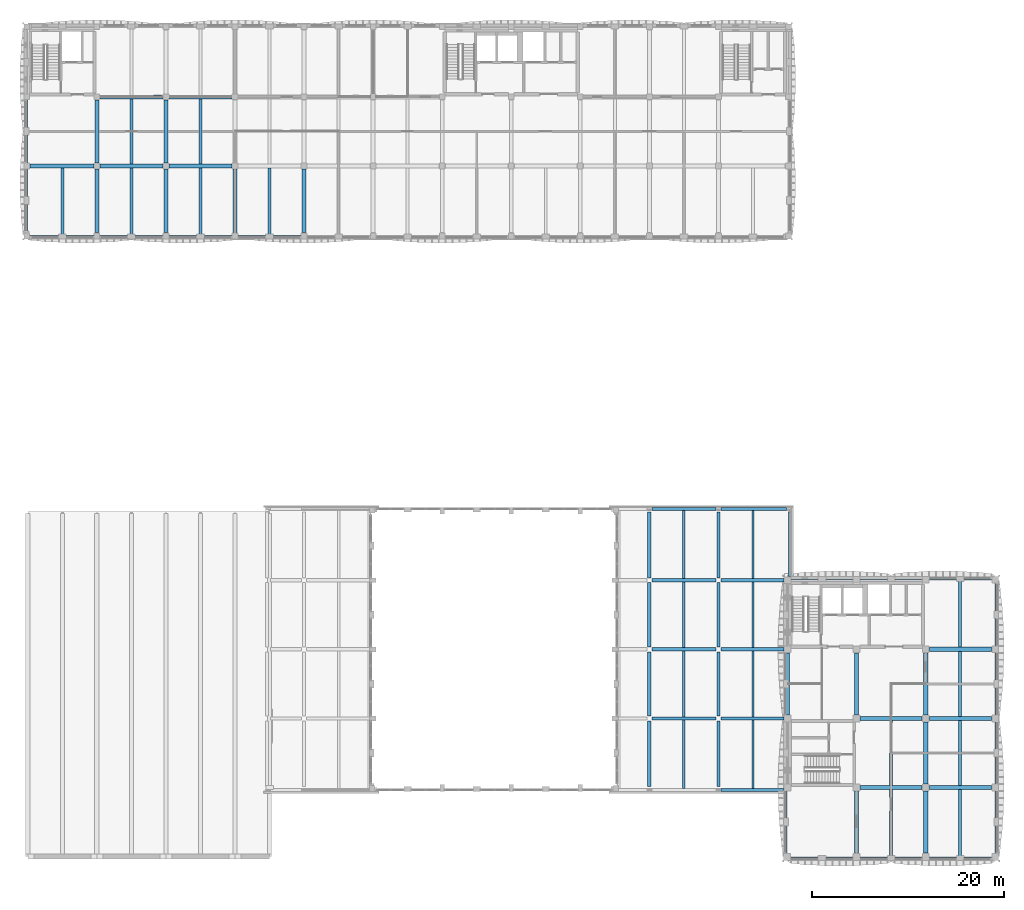
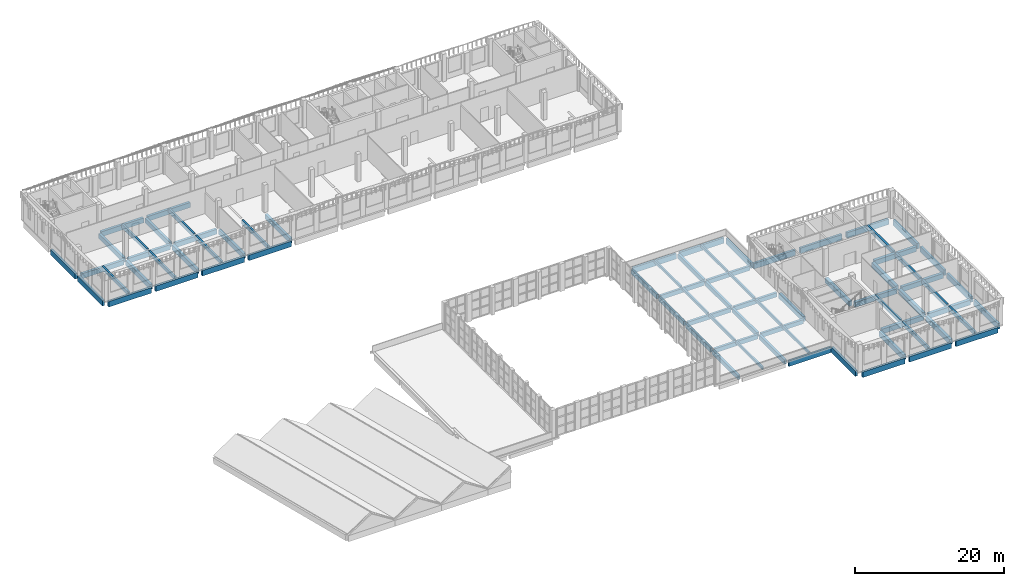
# One storey, part 8 of 44: 77 beams.
"""IFC4 building model written with IfcOpenShell, lengths in metres."""

from ifc_helpers import new_model, si_unit, direction, frame, origin, origin_2d, place, context, subcontext, project, spatial, rectangle, extrude, material, material_profile, profile_set, type_object, element, save


model = new_model("IFC4")

# Units and contexts
model_context = context("Model", 3, precision=1e-05, world=origin(), true_north=direction((0.0, 1.0)))
body_context = subcontext(model_context, "Body", "Model", "MODEL_VIEW")
ifc_project = project(units=[si_unit("LENGTHUNIT", "METRE"), si_unit("AREAUNIT", "SQUARE_METRE"), si_unit("VOLUMEUNIT", "CUBIC_METRE"), si_unit("PLANEANGLEUNIT", "RADIAN"), si_unit("MASSUNIT", "GRAM", prefix="KILO")], contexts=[model_context])

# Site, building, storey
site_placement = place(None, origin())
site = spatial("IfcSite", under=ifc_project, at=site_placement, CompositionType="ELEMENT")
building_placement = place(site_placement, origin())
building = spatial("IfcBuilding", under=site, at=building_placement, Name="Ussher Court Research Institute", CompositionType="ELEMENT")
storey_placement = place(building_placement, frame((0.0, 0.0, 18.89990234375)))
storey = spatial("IfcBuildingStorey", under=building, at=storey_placement, Name="L04", CompositionType="ELEMENT", Elevation=18.89990234375)

# Beams
ifc_material_1 = material(Name="Concrete C35/45", Category="concrete")
ifc_material_profile_1 = material_profile(ifc_material_1, rectangle(XDim=0.25, YDim=0.449951171875, at=origin_2d()), Name="RC 250x450")
ifc_profile_set_1 = profile_set([ifc_material_profile_1], Name="Concrete C35/45")
beam_type_1 = type_object("IfcBeamType", Name="RC 250x450 beam", PredefinedType="BEAM", material=ifc_profile_set_1)
beam_1_placement = place(storey_placement, frame((71.39990234375, 11.10009765625, -0.224853515625), z_axis=(0.0, 1.0, 0.0), x_axis=(-1.0, 0.0, 0.0)))
element("IfcBeam", 1, at=beam_1_placement, inside=storey, type_object=beam_type_1, Name="B1 V7 L04-05", PredefinedType="BEAM", context=body_context, shape_type="SweptSolid", body=[
    extrude(rectangle(XDim=0.25, YDim=0.449951171875, at=origin_2d()), origin(), (0.0, 0.0, 1.0), 7.125),
])
for number, where, z_axis, x_axis, name in (
    (2, (71.39990234375, 18.574951171875, -0.224853515625), (0.0, 1.0, 0.0), (-1.0, 0.0, 0.0), "B1 V7 L04-06"),
    (3, (71.39990234375, 25.77490234375, -0.224853515625), (0.0, 1.0, 0.0), (-1.0, 0.0, 0.0), "B1 V7 L04-07"),
):
    element("IfcBeam", number, at=place(storey_placement, frame(where, z_axis=z_axis, x_axis=x_axis)), inside=storey, type_object=beam_type_1, Name=name, PredefinedType="BEAM", context=body_context, shape_type="SweptSolid", body=[
        extrude(rectangle(XDim=0.25, YDim=0.449951171875, at=origin_2d()), origin(), (0.0, 0.0, 1.0), 6.85009765625),
    ])
for number, where, z_axis, x_axis, name in (
    (4, (71.39990234375, 32.97509765625, -0.224853515625), (0.0, 1.0, 0.0), (-1.0, 0.0, 0.0), "B1 V7 L04-08"),
    (5, (78.60009765625, 11.10009765625, -0.224853515625), (0.0, 1.0, 0.0), (-1.0, 0.0, 0.0), "B1 V7 L04-09"),
):
    element("IfcBeam", number, at=place(storey_placement, frame(where, z_axis=z_axis, x_axis=x_axis)), inside=storey, type_object=beam_type_1, Name=name, PredefinedType="BEAM", context=body_context, shape_type="SweptSolid", body=[
        extrude(rectangle(XDim=0.25, YDim=0.449951171875, at=origin_2d()), origin(), (0.0, 0.0, 1.0), 7.125),
    ])
for number, where, z_axis, x_axis, name in (
    (6, (78.60009765625, 18.574951171875, -0.224853515625), (0.0, 1.0, 0.0), (-1.0, 0.0, 0.0), "B1 V7 L04-10"),
    (7, (78.60009765625, 25.77490234375, -0.224853515625), (0.0, 1.0, 0.0), (-1.0, 0.0, 0.0), "B1 V7 L04-11"),
):
    element("IfcBeam", number, at=place(storey_placement, frame(where, z_axis=z_axis, x_axis=x_axis)), inside=storey, type_object=beam_type_1, Name=name, PredefinedType="BEAM", context=body_context, shape_type="SweptSolid", body=[
        extrude(rectangle(XDim=0.25, YDim=0.449951171875, at=origin_2d()), origin(), (0.0, 0.0, 1.0), 6.85009765625),
    ])
beam_2_placement = place(storey_placement, frame((78.60009765625, 32.97509765625, -0.224853515625), z_axis=(0.0, 1.0, 0.0), x_axis=(-1.0, 0.0, 0.0)))
element("IfcBeam", 8, at=beam_2_placement, inside=storey, type_object=beam_type_1, Name="B1 V7 L04-12", PredefinedType="BEAM", context=body_context, shape_type="SweptSolid", body=[
    extrude(rectangle(XDim=0.25, YDim=0.449951171875, at=origin_2d()), origin(), (0.0, 0.0, 1.0), 7.125),
])
ifc_material_2 = material(Name="Concrete C35/45", Category="concrete")
ifc_material_profile_2 = material_profile(ifc_material_2, rectangle(XDim=0.300048828125, YDim=0.60009765625, at=origin_2d()), Name="RC 300x600")
ifc_profile_set_2 = profile_set([ifc_material_profile_2], Name="Concrete C35/45")
beam_type_2 = type_object("IfcBeamType", Name="RC 300x600 beam", PredefinedType="BEAM", material=ifc_profile_set_2)
for number, where, z_axis, x_axis, name in (
    (9, (6.60009765625, 68.75, -0.2998046875), (0.0, 1.0, 0.0), (-1.0, 0.0, 0.0), "B3 V5 L04-01"),
    (10, (13.800048828125, 68.75, -0.2998046875), (0.0, 1.0, 0.0), (-1.0, 0.0, 0.0), "B3 V5 L04-02"),
):
    element("IfcBeam", number, at=place(storey_placement, frame(where, z_axis=z_axis, x_axis=x_axis)), inside=storey, type_object=beam_type_2, Name=name, PredefinedType="BEAM", context=body_context, shape_type="SweptSolid", body=[
        extrude(rectangle(XDim=0.300048828125, YDim=0.60009765625, at=origin_2d()), origin(), (0.0, 0.0, 1.0), 7.050048828125),
    ])
beam_3_placement = place(storey_placement, frame((13.800048828125, 76.199951171875, -0.2998046875), z_axis=(0.0, 1.0, 0.0), x_axis=(-1.0, 0.0, 0.0)))
element("IfcBeam", 11, at=beam_3_placement, inside=storey, type_object=beam_type_2, Name="B3 V5 L04-03", PredefinedType="BEAM", context=body_context, shape_type="SweptSolid", body=[
    extrude(rectangle(XDim=0.300048828125, YDim=0.60009765625, at=origin_2d()), origin(), (0.0, 0.0, 1.0), 6.800048828125),
])
beam_4_placement = place(storey_placement, frame((21.0, 68.75, -0.2998046875), z_axis=(0.0, 1.0, 0.0), x_axis=(-1.0, 0.0, 0.0)))
element("IfcBeam", 12, at=beam_4_placement, inside=storey, type_object=beam_type_2, Name="B3 V5 L04-05", PredefinedType="BEAM", context=body_context, shape_type="SweptSolid", body=[
    extrude(rectangle(XDim=0.300048828125, YDim=0.60009765625, at=origin_2d()), origin(), (0.0, 0.0, 1.0), 7.050048828125),
])
beam_5_placement = place(storey_placement, frame((21.0, 76.199951171875, -0.2998046875), z_axis=(0.0, 1.0, 0.0), x_axis=(-1.0, 0.0, 0.0)))
element("IfcBeam", 13, at=beam_5_placement, inside=storey, type_object=beam_type_2, Name="B3 V5 L04-06", PredefinedType="BEAM", context=body_context, shape_type="SweptSolid", body=[
    extrude(rectangle(XDim=0.300048828125, YDim=0.60009765625, at=origin_2d()), origin(), (0.0, 0.0, 1.0), 6.800048828125),
])
beam_6_placement = place(storey_placement, frame((28.199951171875, 68.75, -0.2998046875), z_axis=(0.0, 1.0, 0.0), x_axis=(-1.0, 0.0, 0.0)))
element("IfcBeam", 14, at=beam_6_placement, inside=storey, type_object=beam_type_2, Name="B3 V5 L04-08", PredefinedType="BEAM", context=body_context, shape_type="SweptSolid", body=[
    extrude(rectangle(XDim=0.300048828125, YDim=0.60009765625, at=origin_2d()), origin(), (0.0, 0.0, 1.0), 7.050048828125),
])
ifc_material_3 = material(Name="Concrete C35/45", Category="concrete")
ifc_material_profile_3 = material_profile(ifc_material_3, rectangle(XDim=0.300048828125, YDim=0.64990234375, at=origin_2d()), Name="RC 300x650")
ifc_profile_set_3 = profile_set([ifc_material_profile_3], Name="Concrete C35/45")
beam_type_3 = type_object("IfcBeamType", Name="RC 300x650 beam", PredefinedType="BEAM", material=ifc_profile_set_3)
beam_7_placement = place(storey_placement, frame((93.0, 3.949951171875, -0.324951171875), z_axis=(0.0, 1.0, 0.0), x_axis=(-1.0, 0.0, 0.0)))
element("IfcBeam", 15, at=beam_7_placement, inside=storey, type_object=beam_type_3, Name="B4 V4 L04-01", PredefinedType="BEAM", context=body_context, shape_type="SweptSolid", body=[
    extrude(rectangle(XDim=0.300048828125, YDim=0.64990234375, at=origin_2d()), origin(), (0.0, 0.0, 1.0), 7.025146484375),
])
beam_8_placement = place(storey_placement, frame((93.0, 11.425048828125, -0.324951171875), z_axis=(0.0, 1.0, 0.0), x_axis=(-1.0, 0.0, 0.0)))
element("IfcBeam", 16, at=beam_8_placement, inside=storey, type_object=beam_type_3, Name="B4 V4 L04-02", PredefinedType="BEAM", context=body_context, shape_type="SweptSolid", body=[
    extrude(rectangle(XDim=0.300048828125, YDim=0.64990234375, at=origin_2d()), origin(), (0.0, 0.0, 1.0), 6.75),
])
beam_9_placement = place(storey_placement, frame((100.199951171875, 3.949951171875, -0.324951171875), z_axis=(0.0, 1.0, 0.0), x_axis=(-1.0, 0.0, 0.0)))
element("IfcBeam", 17, at=beam_9_placement, inside=storey, type_object=beam_type_3, Name="B4 V4 L04-03", PredefinedType="BEAM", context=body_context, shape_type="SweptSolid", body=[
    extrude(rectangle(XDim=0.300048828125, YDim=0.64990234375, at=origin_2d()), origin(), (0.0, 0.0, 1.0), 7.025146484375),
])
for number, where, z_axis, x_axis, name in (
    (18, (100.199951171875, 11.425048828125, -0.324951171875), (0.0, 1.0, 0.0), (-1.0, 0.0, 0.0), "B4 V4 L04-04"),
    (19, (100.199951171875, 18.625, -0.324951171875), (0.0, 1.0, 0.0), (-1.0, 0.0, 0.0), "B4 V4 L04-05"),
):
    element("IfcBeam", number, at=place(storey_placement, frame(where, z_axis=z_axis, x_axis=x_axis)), inside=storey, type_object=beam_type_3, Name=name, PredefinedType="BEAM", context=body_context, shape_type="SweptSolid", body=[
        extrude(rectangle(XDim=0.300048828125, YDim=0.64990234375, at=origin_2d()), origin(), (0.0, 0.0, 1.0), 6.75),
    ])
beam_10_placement = place(storey_placement, frame((100.199951171875, 25.824951171875, -0.324951171875), z_axis=(0.0, 1.0, 0.0), x_axis=(-1.0, 0.0, 0.0)))
element("IfcBeam", 20, at=beam_10_placement, inside=storey, type_object=beam_type_3, Name="B4 V4 L04-06", PredefinedType="BEAM", context=body_context, shape_type="SweptSolid", body=[
    extrude(rectangle(XDim=0.300048828125, YDim=0.64990234375, at=origin_2d()), origin(), (0.0, 0.0, 1.0), 7.025146484375),
])
ifc_material_4 = material(Name="Concrete C35/45", Category="concrete")
ifc_material_profile_4 = material_profile(ifc_material_4, rectangle(XDim=0.300048828125, YDim=0.89990234375, at=origin_2d()), Name="RC 300x900")
ifc_profile_set_4 = profile_set([ifc_material_profile_4], Name="Concrete C35/45")
beam_type_4 = type_object("IfcBeamType", Name="RC 300x900 beam", PredefinedType="BEAM", material=ifc_profile_set_4)
beam_11_placement = place(storey_placement, frame((75.25, 10.949951171875, -0.64990234375), z_axis=(1.0, 0.0, 0.0), x_axis=(0.0, 1.0, 0.0)))
element("IfcBeam", 21, at=beam_11_placement, inside=storey, type_object=beam_type_4, Name="SB2 V7 L04-05", PredefinedType="BEAM", context=body_context, shape_type="SweptSolid", body=[
    extrude(rectangle(XDim=0.300048828125, YDim=0.89990234375, at=origin_2d()), origin(), (0.0, 0.0, 1.0), 6.574951171875),
])
beam_12_placement = place(storey_placement, frame((68.050048828125, 40.25, -0.64990234375), z_axis=(1.0, 0.0, 0.0), x_axis=(0.0, 1.0, 0.0)))
element("IfcBeam", 22, at=beam_12_placement, inside=storey, type_object=beam_type_4, Name="SB2 V7 L04-09", PredefinedType="BEAM", context=body_context, shape_type="SweptSolid", body=[
    extrude(rectangle(XDim=0.300048828125, YDim=0.89990234375, at=origin_2d()), origin(), (0.0, 0.0, 1.0), 6.699951171875),
])
beam_13_placement = place(storey_placement, frame((75.25, 40.25, -0.64990234375), z_axis=(1.0, 0.0, 0.0), x_axis=(0.0, 1.0, 0.0)))
element("IfcBeam", 23, at=beam_13_placement, inside=storey, type_object=beam_type_4, Name="SB2 V7 L04-10", PredefinedType="BEAM", context=body_context, shape_type="SweptSolid", body=[
    extrude(rectangle(XDim=0.300048828125, YDim=0.89990234375, at=origin_2d()), origin(), (0.0, 0.0, 1.0), 6.85009765625),
])
beam_14_placement = place(storey_placement, frame((82.449951171875, 33.175048828125, -0.64990234375), z_axis=(0.0, 1.0, 0.0), x_axis=(-1.0, 0.0, 0.0)))
element("IfcBeam", 24, at=beam_14_placement, inside=storey, type_object=beam_type_4, Name="SB2 V7 L04-15", PredefinedType="BEAM", context=body_context, shape_type="SweptSolid", body=[
    extrude(rectangle(XDim=0.300048828125, YDim=0.89990234375, at=origin_2d()), origin(), (0.0, 0.0, 1.0), 6.724853515625),
])
ifc_material_5 = material(Name="Concrete C35/45", Category="concrete")
ifc_material_profile_5 = material_profile(ifc_material_5, rectangle(XDim=0.35009765625, YDim=0.699951171875, at=origin_2d()), Name="RC 350x700")
ifc_profile_set_5 = profile_set([ifc_material_profile_5], Name="Concrete C35/45")
beam_type_5 = type_object("IfcBeamType", Name="RC 350x700 beam", PredefinedType="BEAM", material=ifc_profile_set_5)
beam_15_placement = place(storey_placement, frame((68.050048828125, 18.39990234375, -0.5498046875), z_axis=(1.0, 0.0, 0.0), x_axis=(0.0, 1.0, 0.0)))
element("IfcBeam", 25, at=beam_15_placement, inside=storey, type_object=beam_type_5, Name="B16 V7 L04-04", PredefinedType="BEAM", context=body_context, shape_type="SweptSolid", body=[
    extrude(rectangle(XDim=0.35009765625, YDim=0.699951171875, at=origin_2d()), origin(), (0.0, 0.0, 1.0), 6.699951171875),
])
beam_16_placement = place(storey_placement, frame((75.25, 18.39990234375, -0.5498046875), z_axis=(1.0, 0.0, 0.0), x_axis=(0.0, 1.0, 0.0)))
element("IfcBeam", 26, at=beam_16_placement, inside=storey, type_object=beam_type_5, Name="B16 V7 L04-05", PredefinedType="BEAM", context=body_context, shape_type="SweptSolid", body=[
    extrude(rectangle(XDim=0.35009765625, YDim=0.699951171875, at=origin_2d()), origin(), (0.0, 0.0, 1.0), 6.574951171875),
])
beam_17_placement = place(storey_placement, frame((68.050048828125, 25.60009765625, -0.5498046875), z_axis=(1.0, 0.0, 0.0), x_axis=(0.0, 1.0, 0.0)))
element("IfcBeam", 27, at=beam_17_placement, inside=storey, type_object=beam_type_5, Name="B16 V7 L04-09", PredefinedType="BEAM", context=body_context, shape_type="SweptSolid", body=[
    extrude(rectangle(XDim=0.35009765625, YDim=0.699951171875, at=origin_2d()), origin(), (0.0, 0.0, 1.0), 6.699951171875),
])
beam_18_placement = place(storey_placement, frame((75.25, 25.60009765625, -0.5498046875), z_axis=(1.0, 0.0, 0.0), x_axis=(0.0, 1.0, 0.0)))
element("IfcBeam", 28, at=beam_18_placement, inside=storey, type_object=beam_type_5, Name="B16 V7 L04-10", PredefinedType="BEAM", context=body_context, shape_type="SweptSolid", body=[
    extrude(rectangle(XDim=0.35009765625, YDim=0.699951171875, at=origin_2d()), origin(), (0.0, 0.0, 1.0), 6.574951171875),
])
beam_19_placement = place(storey_placement, frame((68.050048828125, 32.800048828125, -0.5498046875), z_axis=(1.0, 0.0, 0.0), x_axis=(0.0, 1.0, 0.0)))
element("IfcBeam", 29, at=beam_19_placement, inside=storey, type_object=beam_type_5, Name="B16 V7 L04-14", PredefinedType="BEAM", context=body_context, shape_type="SweptSolid", body=[
    extrude(rectangle(XDim=0.35009765625, YDim=0.699951171875, at=origin_2d()), origin(), (0.0, 0.0, 1.0), 6.699951171875),
])
beam_20_placement = place(storey_placement, frame((75.25, 32.800048828125, -0.5498046875), z_axis=(1.0, 0.0, 0.0), x_axis=(0.0, 1.0, 0.0)))
element("IfcBeam", 30, at=beam_20_placement, inside=storey, type_object=beam_type_5, Name="B16 V7 L04-15", PredefinedType="BEAM", context=body_context, shape_type="SweptSolid", body=[
    extrude(rectangle(XDim=0.35009765625, YDim=0.699951171875, at=origin_2d()), origin(), (0.0, 0.0, 1.0), 6.574951171875),
])
beam_21_placement = place(storey_placement, frame((67.800048828125, 11.300048828125, -0.5498046875), z_axis=(0.0, 1.0, 0.0), x_axis=(-1.0, 0.0, 0.0)))
element("IfcBeam", 31, at=beam_21_placement, inside=storey, type_object=beam_type_5, Name="B16 V7 L04-20", PredefinedType="BEAM", context=body_context, shape_type="SweptSolid", body=[
    extrude(rectangle(XDim=0.35009765625, YDim=0.699951171875, at=origin_2d()), origin(), (0.0, 0.0, 1.0), 6.849853515625),
])
beam_22_placement = place(storey_placement, frame((67.800048828125, 18.64990234375, -0.5498046875), z_axis=(0.0, 1.0, 0.0), x_axis=(-1.0, 0.0, 0.0)))
element("IfcBeam", 32, at=beam_22_placement, inside=storey, type_object=beam_type_5, Name="B16 V7 L04-21", PredefinedType="BEAM", context=body_context, shape_type="SweptSolid", body=[
    extrude(rectangle(XDim=0.35009765625, YDim=0.699951171875, at=origin_2d()), origin(), (0.0, 0.0, 1.0), 6.7001953125),
])
beam_23_placement = place(storey_placement, frame((67.800048828125, 25.85009765625, -0.5498046875), z_axis=(0.0, 1.0, 0.0), x_axis=(-1.0, 0.0, 0.0)))
element("IfcBeam", 33, at=beam_23_placement, inside=storey, type_object=beam_type_5, Name="B16 V7 L04-22", PredefinedType="BEAM", context=body_context, shape_type="SweptSolid", body=[
    extrude(rectangle(XDim=0.35009765625, YDim=0.699951171875, at=origin_2d()), origin(), (0.0, 0.0, 1.0), 6.699951171875),
])
for number, where, z_axis, x_axis, name in (
    (34, (67.800048828125, 33.050048828125, -0.5498046875), (0.0, 1.0, 0.0), (-1.0, 0.0, 0.0), "B16 V7 L04-23"),
    (35, (75.0, 11.300048828125, -0.5498046875), (0.0, 1.0, 0.0), (-1.0, 0.0, 0.0), "B16 V7 L04-24"),
):
    element("IfcBeam", number, at=place(storey_placement, frame(where, z_axis=z_axis, x_axis=x_axis)), inside=storey, type_object=beam_type_5, Name=name, PredefinedType="BEAM", context=body_context, shape_type="SweptSolid", body=[
        extrude(rectangle(XDim=0.35009765625, YDim=0.699951171875, at=origin_2d()), origin(), (0.0, 0.0, 1.0), 6.849853515625),
    ])
beam_24_placement = place(storey_placement, frame((75.0, 18.64990234375, -0.5498046875), z_axis=(0.0, 1.0, 0.0), x_axis=(-1.0, 0.0, 0.0)))
element("IfcBeam", 36, at=beam_24_placement, inside=storey, type_object=beam_type_5, Name="B16 V7 L04-25", PredefinedType="BEAM", context=body_context, shape_type="SweptSolid", body=[
    extrude(rectangle(XDim=0.35009765625, YDim=0.699951171875, at=origin_2d()), origin(), (0.0, 0.0, 1.0), 6.7001953125),
])
beam_25_placement = place(storey_placement, frame((75.0, 25.85009765625, -0.5498046875), z_axis=(0.0, 1.0, 0.0), x_axis=(-1.0, 0.0, 0.0)))
element("IfcBeam", 37, at=beam_25_placement, inside=storey, type_object=beam_type_5, Name="B16 V7 L04-26", PredefinedType="BEAM", context=body_context, shape_type="SweptSolid", body=[
    extrude(rectangle(XDim=0.35009765625, YDim=0.699951171875, at=origin_2d()), origin(), (0.0, 0.0, 1.0), 6.699951171875),
])
beam_26_placement = place(storey_placement, frame((75.0, 33.050048828125, -0.5498046875), z_axis=(0.0, 1.0, 0.0), x_axis=(-1.0, 0.0, 0.0)))
element("IfcBeam", 38, at=beam_26_placement, inside=storey, type_object=beam_type_5, Name="B16 V7 L04-27", PredefinedType="BEAM", context=body_context, shape_type="SweptSolid", body=[
    extrude(rectangle(XDim=0.35009765625, YDim=0.699951171875, at=origin_2d()), origin(), (0.0, 0.0, 1.0), 6.849853515625),
])
ifc_material_6 = material(Name="Concrete C35/45", Category="concrete")
ifc_material_profile_6 = material_profile(ifc_material_6, rectangle(XDim=0.35009765625, YDim=0.89990234375, at=origin_2d()), Name="RC 350x900")
ifc_profile_set_6 = profile_set([ifc_material_profile_6], Name="Concrete C35/45")
beam_type_6 = type_object("IfcBeamType", Name="RC 350x900 beam", PredefinedType="BEAM", material=ifc_profile_set_6)
beam_27_placement = place(storey_placement, frame((82.550048828125, 3.77490234375, -0.64990234375), z_axis=(1.0, 0.0, 0.0), x_axis=(0.0, 1.0, 0.0)))
element("IfcBeam", 39, at=beam_27_placement, inside=storey, type_object=beam_type_6, Name="SB1 V4 L04-01", PredefinedType="BEAM", context=body_context, shape_type="SweptSolid", body=[
    extrude(rectangle(XDim=0.35009765625, YDim=0.89990234375, at=origin_2d()), origin(), (0.0, 0.0, 1.0), 6.474853515625),
])
beam_28_placement = place(storey_placement, frame((89.77490234375, 3.77490234375, -0.64990234375), z_axis=(1.0, 0.0, 0.0), x_axis=(0.0, 1.0, 0.0)))
element("IfcBeam", 40, at=beam_28_placement, inside=storey, type_object=beam_type_6, Name="SB1 V4 L04-02", PredefinedType="BEAM", context=body_context, shape_type="SweptSolid", body=[
    extrude(rectangle(XDim=0.35009765625, YDim=0.89990234375, at=origin_2d()), origin(), (0.0, 0.0, 1.0), 6.4501953125),
])
beam_29_placement = place(storey_placement, frame((96.97509765625, 3.77490234375, -0.64990234375), z_axis=(1.0, 0.0, 0.0), x_axis=(0.0, 1.0, 0.0)))
element("IfcBeam", 41, at=beam_29_placement, inside=storey, type_object=beam_type_6, Name="SB1 V4 L04-03", PredefinedType="BEAM", context=body_context, shape_type="SweptSolid", body=[
    extrude(rectangle(XDim=0.35009765625, YDim=0.89990234375, at=origin_2d()), origin(), (0.0, 0.0, 1.0), 6.474853515625),
])
beam_30_placement = place(storey_placement, frame((82.574951171875, 33.02490234375, -0.64990234375), z_axis=(1.0, 0.0, 0.0), x_axis=(0.0, 1.0, 0.0)))
element("IfcBeam", 42, at=beam_30_placement, inside=storey, type_object=beam_type_6, Name="SB1 V4 L04-04", PredefinedType="BEAM", context=body_context, shape_type="SweptSolid", body=[
    extrude(rectangle(XDim=0.35009765625, YDim=0.89990234375, at=origin_2d()), origin(), (0.0, 0.0, 1.0), 6.449951171875),
])
beam_31_placement = place(storey_placement, frame((89.77490234375, 33.02490234375, -0.64990234375), z_axis=(1.0, 0.0, 0.0), x_axis=(0.0, 1.0, 0.0)))
element("IfcBeam", 43, at=beam_31_placement, inside=storey, type_object=beam_type_6, Name="SB1 V4 L04-05", PredefinedType="BEAM", context=body_context, shape_type="SweptSolid", body=[
    extrude(rectangle(XDim=0.35009765625, YDim=0.89990234375, at=origin_2d()), origin(), (0.0, 0.0, 1.0), 6.4501953125),
])
for number, where, z_axis, x_axis, name in (
    (44, (96.97509765625, 33.02490234375, -0.64990234375), (1.0, 0.0, 0.0), (0.0, 1.0, 0.0), "SB1 V4 L04-06"),
    (45, (81.97509765625, 4.35009765625, -0.64990234375), (0.0, 1.0, 0.0), (-1.0, 0.0, 0.0), "SB1 V4 L04-07"),
    (46, (104.02490234375, 4.35009765625, -0.64990234375), (0.0, 1.0, 0.0), (-1.0, 0.0, 0.0), "SB1 V4 L04-08"),
):
    element("IfcBeam", number, at=place(storey_placement, frame(where, z_axis=z_axis, x_axis=x_axis)), inside=storey, type_object=beam_type_6, Name=name, PredefinedType="BEAM", context=body_context, shape_type="SweptSolid", body=[
        extrude(rectangle(XDim=0.35009765625, YDim=0.89990234375, at=origin_2d()), origin(), (0.0, 0.0, 1.0), 6.474853515625),
    ])
beam_32_placement = place(storey_placement, frame((104.02490234375, 11.574951171875, -0.64990234375), z_axis=(0.0, 1.0, 0.0), x_axis=(-1.0, 0.0, 0.0)))
element("IfcBeam", 47, at=beam_32_placement, inside=storey, type_object=beam_type_6, Name="SB1 V4 L04-09", PredefinedType="BEAM", context=body_context, shape_type="SweptSolid", body=[
    extrude(rectangle(XDim=0.35009765625, YDim=0.89990234375, at=origin_2d()), origin(), (0.0, 0.0, 1.0), 6.449951171875),
])
beam_33_placement = place(storey_placement, frame((104.02490234375, 18.77490234375, -0.64990234375), z_axis=(0.0, 1.0, 0.0), x_axis=(-1.0, 0.0, 0.0)))
element("IfcBeam", 48, at=beam_33_placement, inside=storey, type_object=beam_type_6, Name="SB1 V4 L04-10", PredefinedType="BEAM", context=body_context, shape_type="SweptSolid", body=[
    extrude(rectangle(XDim=0.35009765625, YDim=0.89990234375, at=origin_2d()), origin(), (0.0, 0.0, 1.0), 6.4501953125),
])
beam_34_placement = place(storey_placement, frame((104.02490234375, 25.97509765625, -0.64990234375), z_axis=(0.0, 1.0, 0.0), x_axis=(-1.0, 0.0, 0.0)))
element("IfcBeam", 49, at=beam_34_placement, inside=storey, type_object=beam_type_6, Name="SB1 V4 L04-11", PredefinedType="BEAM", context=body_context, shape_type="SweptSolid", body=[
    extrude(rectangle(XDim=0.35009765625, YDim=0.89990234375, at=origin_2d()), origin(), (0.0, 0.0, 1.0), 6.474853515625),
])
beam_35_placement = place(storey_placement, frame((3.25, 68.574951171875, -0.64990234375), z_axis=(1.0, 0.0, 0.0), x_axis=(0.0, 1.0, 0.0)))
element("IfcBeam", 50, at=beam_35_placement, inside=storey, type_object=beam_type_6, Name="SB1 V5 L04-01", PredefinedType="BEAM", context=body_context, shape_type="SweptSolid", body=[
    extrude(rectangle(XDim=0.35009765625, YDim=0.89990234375, at=origin_2d()), origin(), (0.0, 0.0, 1.0), 6.625),
])
beam_36_placement = place(storey_placement, frame((10.52490234375, 68.574951171875, -0.64990234375), z_axis=(1.0, 0.0, 0.0), x_axis=(0.0, 1.0, 0.0)))
element("IfcBeam", 51, at=beam_36_placement, inside=storey, type_object=beam_type_6, Name="SB1 V5 L04-02", PredefinedType="BEAM", context=body_context, shape_type="SweptSolid", body=[
    extrude(rectangle(XDim=0.35009765625, YDim=0.89990234375, at=origin_2d()), origin(), (0.0, 0.0, 1.0), 6.550048828125),
])
beam_37_placement = place(storey_placement, frame((17.72509765625, 68.574951171875, -0.64990234375), z_axis=(1.0, 0.0, 0.0), x_axis=(0.0, 1.0, 0.0)))
element("IfcBeam", 52, at=beam_37_placement, inside=storey, type_object=beam_type_6, Name="SB1 V5 L04-03", PredefinedType="BEAM", context=body_context, shape_type="SweptSolid", body=[
    extrude(rectangle(XDim=0.35009765625, YDim=0.89990234375, at=origin_2d()), origin(), (0.0, 0.0, 1.0), 6.5498046875),
])
beam_38_placement = place(storey_placement, frame((24.925048828125, 68.574951171875, -0.64990234375), z_axis=(1.0, 0.0, 0.0), x_axis=(0.0, 1.0, 0.0)))
element("IfcBeam", 53, at=beam_38_placement, inside=storey, type_object=beam_type_6, Name="SB1 V5 L04-04", PredefinedType="BEAM", context=body_context, shape_type="SweptSolid", body=[
    extrude(rectangle(XDim=0.35009765625, YDim=0.89990234375, at=origin_2d()), origin(), (0.0, 0.0, 1.0), 6.550048828125),
])
beam_39_placement = place(storey_placement, frame((2.77490234375, 69.050048828125, -0.64990234375), z_axis=(0.0, 1.0, 0.0), x_axis=(-1.0, 0.0, 0.0)))
element("IfcBeam", 54, at=beam_39_placement, inside=storey, type_object=beam_type_6, Name="SB1 V5 L04-23", PredefinedType="BEAM", context=body_context, shape_type="SweptSolid", body=[
    extrude(rectangle(XDim=0.35009765625, YDim=0.89990234375, at=origin_2d()), origin(), (0.0, 0.0, 1.0), 6.625),
])
beam_40_placement = place(storey_placement, frame((2.77490234375, 76.324951171875, -0.64990234375), z_axis=(0.0, 1.0, 0.0), x_axis=(-1.0, 0.0, 0.0)))
element("IfcBeam", 55, at=beam_40_placement, inside=storey, type_object=beam_type_6, Name="SB1 V5 L04-24", PredefinedType="BEAM", context=body_context, shape_type="SweptSolid", body=[
    extrude(rectangle(XDim=0.35009765625, YDim=0.89990234375, at=origin_2d()), origin(), (0.0, 0.0, 1.0), 6.550048828125),
])
ifc_material_7 = material(Name="Concrete C35/45", Category="concrete")
ifc_material_profile_7 = material_profile(ifc_material_7, rectangle(XDim=0.39990234375, YDim=0.800048828125, at=origin_2d()), Name="RC 400x800")
ifc_profile_set_7 = profile_set([ifc_material_profile_7], Name="Concrete C35/45")
beam_type_7 = type_object("IfcBeamType", Name="RC 400x800 beam", PredefinedType="BEAM", material=ifc_profile_set_7)
beam_41_placement = place(storey_placement, frame((3.25, 76.0, -0.599853515625), z_axis=(1.0, 0.0, 0.0), x_axis=(0.0, 1.0, 0.0)))
element("IfcBeam", 56, at=beam_41_placement, inside=storey, type_object=beam_type_7, Name="B17 V5 L04-01", PredefinedType="BEAM", context=body_context, shape_type="SweptSolid", body=[
    extrude(rectangle(XDim=0.39990234375, YDim=0.800048828125, at=origin_2d()), origin(), (0.0, 0.0, 1.0), 6.625),
])
beam_42_placement = place(storey_placement, frame((10.52490234375, 76.0, -0.599853515625), z_axis=(1.0, 0.0, 0.0), x_axis=(0.0, 1.0, 0.0)))
element("IfcBeam", 57, at=beam_42_placement, inside=storey, type_object=beam_type_7, Name="B17 V5 L04-02", PredefinedType="BEAM", context=body_context, shape_type="SweptSolid", body=[
    extrude(rectangle(XDim=0.39990234375, YDim=0.800048828125, at=origin_2d()), origin(), (0.0, 0.0, 1.0), 6.550048828125),
])
beam_43_placement = place(storey_placement, frame((17.72509765625, 76.0, -0.599853515625), z_axis=(1.0, 0.0, 0.0), x_axis=(0.0, 1.0, 0.0)))
element("IfcBeam", 58, at=beam_43_placement, inside=storey, type_object=beam_type_7, Name="B17 V5 L04-03", PredefinedType="BEAM", context=body_context, shape_type="SweptSolid", body=[
    extrude(rectangle(XDim=0.39990234375, YDim=0.800048828125, at=origin_2d()), origin(), (0.0, 0.0, 1.0), 6.5498046875),
])
beam_44_placement = place(storey_placement, frame((10.52490234375, 83.199951171875, -0.599853515625), z_axis=(1.0, 0.0, 0.0), x_axis=(0.0, 1.0, 0.0)))
element("IfcBeam", 59, at=beam_44_placement, inside=storey, type_object=beam_type_7, Name="B17 V5 L04-12", PredefinedType="BEAM", context=body_context, shape_type="SweptSolid", body=[
    extrude(rectangle(XDim=0.39990234375, YDim=0.800048828125, at=origin_2d()), origin(), (0.0, 0.0, 1.0), 6.550048828125),
])
beam_45_placement = place(storey_placement, frame((17.72509765625, 83.199951171875, -0.599853515625), z_axis=(1.0, 0.0, 0.0), x_axis=(0.0, 1.0, 0.0)))
element("IfcBeam", 60, at=beam_45_placement, inside=storey, type_object=beam_type_7, Name="B17 V5 L04-13", PredefinedType="BEAM", context=body_context, shape_type="SweptSolid", body=[
    extrude(rectangle(XDim=0.39990234375, YDim=0.800048828125, at=origin_2d()), origin(), (0.0, 0.0, 1.0), 6.5498046875),
])
beam_46_placement = place(storey_placement, frame((10.199951171875, 69.050048828125, -0.599853515625), z_axis=(0.0, 1.0, 0.0), x_axis=(-1.0, 0.0, 0.0)))
element("IfcBeam", 61, at=beam_46_placement, inside=storey, type_object=beam_type_7, Name="B17 V5 L04-19", PredefinedType="BEAM", context=body_context, shape_type="SweptSolid", body=[
    extrude(rectangle(XDim=0.39990234375, YDim=0.800048828125, at=origin_2d()), origin(), (0.0, 0.0, 1.0), 6.625),
])
beam_47_placement = place(storey_placement, frame((10.199951171875, 76.324951171875, -0.599853515625), z_axis=(0.0, 1.0, 0.0), x_axis=(-1.0, 0.0, 0.0)))
element("IfcBeam", 62, at=beam_47_placement, inside=storey, type_object=beam_type_7, Name="B17 V5 L04-20", PredefinedType="BEAM", context=body_context, shape_type="SweptSolid", body=[
    extrude(rectangle(XDim=0.39990234375, YDim=0.800048828125, at=origin_2d()), origin(), (0.0, 0.0, 1.0), 6.550048828125),
])
beam_48_placement = place(storey_placement, frame((17.39990234375, 69.050048828125, -0.599853515625), z_axis=(0.0, 1.0, 0.0), x_axis=(-1.0, 0.0, 0.0)))
element("IfcBeam", 63, at=beam_48_placement, inside=storey, type_object=beam_type_7, Name="B17 V5 L04-21", PredefinedType="BEAM", context=body_context, shape_type="SweptSolid", body=[
    extrude(rectangle(XDim=0.39990234375, YDim=0.800048828125, at=origin_2d()), origin(), (0.0, 0.0, 1.0), 6.625),
])
beam_49_placement = place(storey_placement, frame((17.39990234375, 76.324951171875, -0.599853515625), z_axis=(0.0, 1.0, 0.0), x_axis=(-1.0, 0.0, 0.0)))
element("IfcBeam", 64, at=beam_49_placement, inside=storey, type_object=beam_type_7, Name="B17 V5 L04-22", PredefinedType="BEAM", context=body_context, shape_type="SweptSolid", body=[
    extrude(rectangle(XDim=0.39990234375, YDim=0.800048828125, at=origin_2d()), origin(), (0.0, 0.0, 1.0), 6.550048828125),
])
for number, where, z_axis, x_axis, name in (
    (65, (24.60009765625, 69.050048828125, -0.599853515625), (0.0, 1.0, 0.0), (-1.0, 0.0, 0.0), "B17 V5 L04-24"),
    (66, (31.800048828125, 69.050048828125, -0.599853515625), (0.0, 1.0, 0.0), (-1.0, 0.0, 0.0), "B17 V5 L04-27"),
):
    element("IfcBeam", number, at=place(storey_placement, frame(where, z_axis=z_axis, x_axis=x_axis)), inside=storey, type_object=beam_type_7, Name=name, PredefinedType="BEAM", context=body_context, shape_type="SweptSolid", body=[
        extrude(rectangle(XDim=0.39990234375, YDim=0.800048828125, at=origin_2d()), origin(), (0.0, 0.0, 1.0), 6.625),
    ])
ifc_material_8 = material(Name="Concrete C35/45", Category="concrete")
ifc_material_profile_8 = material_profile(ifc_material_8, rectangle(XDim=0.449951171875, YDim=0.800048828125, at=origin_2d()), Name="RC 450x800")
ifc_profile_set_8 = profile_set([ifc_material_profile_8], Name="Concrete C35/45")
beam_type_8 = type_object("IfcBeamType", Name="RC 450x800 beam", PredefinedType="BEAM", material=ifc_profile_set_8)
beam_50_placement = place(storey_placement, frame((89.77490234375, 11.199951171875, -0.599853515625), z_axis=(1.0, 0.0, 0.0), x_axis=(0.0, 1.0, 0.0)))
element("IfcBeam", 67, at=beam_50_placement, inside=storey, type_object=beam_type_8, Name="B11 V4 L04-01", PredefinedType="BEAM", context=body_context, shape_type="SweptSolid", body=[
    extrude(rectangle(XDim=0.449951171875, YDim=0.800048828125, at=origin_2d()), origin(), (0.0, 0.0, 1.0), 6.4501953125),
])
beam_51_placement = place(storey_placement, frame((96.97509765625, 11.199951171875, -0.599853515625), z_axis=(1.0, 0.0, 0.0), x_axis=(0.0, 1.0, 0.0)))
element("IfcBeam", 68, at=beam_51_placement, inside=storey, type_object=beam_type_8, Name="B11 V4 L04-02", PredefinedType="BEAM", context=body_context, shape_type="SweptSolid", body=[
    extrude(rectangle(XDim=0.449951171875, YDim=0.800048828125, at=origin_2d()), origin(), (0.0, 0.0, 1.0), 6.474853515625),
])
beam_52_placement = place(storey_placement, frame((89.77490234375, 18.39990234375, -0.599853515625), z_axis=(1.0, 0.0, 0.0), x_axis=(0.0, 1.0, 0.0)))
element("IfcBeam", 69, at=beam_52_placement, inside=storey, type_object=beam_type_8, Name="B11 V4 L04-03", PredefinedType="BEAM", context=body_context, shape_type="SweptSolid", body=[
    extrude(rectangle(XDim=0.449951171875, YDim=0.800048828125, at=origin_2d()), origin(), (0.0, 0.0, 1.0), 6.4501953125),
])
for number, where, z_axis, x_axis, name in (
    (70, (96.97509765625, 18.39990234375, -0.599853515625), (1.0, 0.0, 0.0), (0.0, 1.0, 0.0), "B11 V4 L04-04"),
    (71, (96.97509765625, 25.60009765625, -0.599853515625), (1.0, 0.0, 0.0), (0.0, 1.0, 0.0), "B11 V4 L04-05"),
):
    element("IfcBeam", number, at=place(storey_placement, frame(where, z_axis=z_axis, x_axis=x_axis)), inside=storey, type_object=beam_type_8, Name=name, PredefinedType="BEAM", context=body_context, shape_type="SweptSolid", body=[
        extrude(rectangle(XDim=0.449951171875, YDim=0.800048828125, at=origin_2d()), origin(), (0.0, 0.0, 1.0), 6.474853515625),
    ])
beam_53_placement = place(storey_placement, frame((82.199951171875, 18.77490234375, -0.599853515625), z_axis=(0.0, 1.0, 0.0), x_axis=(-1.0, 0.0, 0.0)))
element("IfcBeam", 72, at=beam_53_placement, inside=storey, type_object=beam_type_8, Name="B11 V4 L04-06", PredefinedType="BEAM", context=body_context, shape_type="SweptSolid", body=[
    extrude(rectangle(XDim=0.449951171875, YDim=0.800048828125, at=origin_2d()), origin(), (0.0, 0.0, 1.0), 6.4501953125),
])
beam_54_placement = place(storey_placement, frame((89.39990234375, 4.35009765625, -0.599853515625), z_axis=(0.0, 1.0, 0.0), x_axis=(-1.0, 0.0, 0.0)))
element("IfcBeam", 73, at=beam_54_placement, inside=storey, type_object=beam_type_8, Name="B11 V4 L04-07", PredefinedType="BEAM", context=body_context, shape_type="SweptSolid", body=[
    extrude(rectangle(XDim=0.449951171875, YDim=0.800048828125, at=origin_2d()), origin(), (0.0, 0.0, 1.0), 6.474853515625),
])
beam_55_placement = place(storey_placement, frame((89.39990234375, 18.77490234375, -0.599853515625), z_axis=(0.0, 1.0, 0.0), x_axis=(-1.0, 0.0, 0.0)))
element("IfcBeam", 74, at=beam_55_placement, inside=storey, type_object=beam_type_8, Name="B11 V4 L04-08", PredefinedType="BEAM", context=body_context, shape_type="SweptSolid", body=[
    extrude(rectangle(XDim=0.449951171875, YDim=0.800048828125, at=origin_2d()), origin(), (0.0, 0.0, 1.0), 6.4501953125),
])
beam_56_placement = place(storey_placement, frame((96.60009765625, 4.35009765625, -0.599853515625), z_axis=(0.0, 1.0, 0.0), x_axis=(-1.0, 0.0, 0.0)))
element("IfcBeam", 75, at=beam_56_placement, inside=storey, type_object=beam_type_8, Name="B11 V4 L04-09", PredefinedType="BEAM", context=body_context, shape_type="SweptSolid", body=[
    extrude(rectangle(XDim=0.449951171875, YDim=0.800048828125, at=origin_2d()), origin(), (0.0, 0.0, 1.0), 6.474853515625),
])
beam_57_placement = place(storey_placement, frame((96.60009765625, 11.574951171875, -0.599853515625), z_axis=(0.0, 1.0, 0.0), x_axis=(-1.0, 0.0, 0.0)))
element("IfcBeam", 76, at=beam_57_placement, inside=storey, type_object=beam_type_8, Name="B11 V4 L04-10", PredefinedType="BEAM", context=body_context, shape_type="SweptSolid", body=[
    extrude(rectangle(XDim=0.449951171875, YDim=0.800048828125, at=origin_2d()), origin(), (0.0, 0.0, 1.0), 6.449951171875),
])
beam_58_placement = place(storey_placement, frame((96.60009765625, 18.77490234375, -0.599853515625), z_axis=(0.0, 1.0, 0.0), x_axis=(-1.0, 0.0, 0.0)))
element("IfcBeam", 77, at=beam_58_placement, inside=storey, type_object=beam_type_8, Name="B11 V4 L04-11", PredefinedType="BEAM", context=body_context, shape_type="SweptSolid", body=[
    extrude(rectangle(XDim=0.449951171875, YDim=0.800048828125, at=origin_2d()), origin(), (0.0, 0.0, 1.0), 6.4501953125),
])

save(model, "model.ifc")
